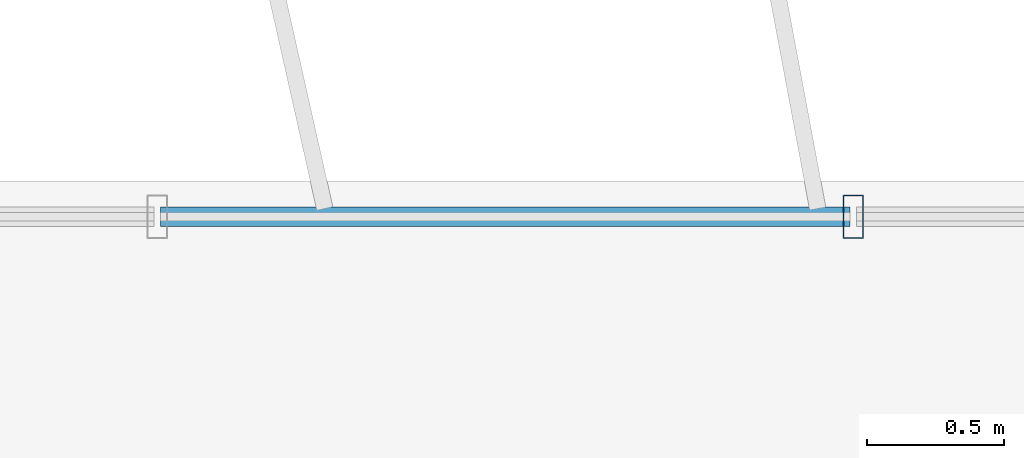
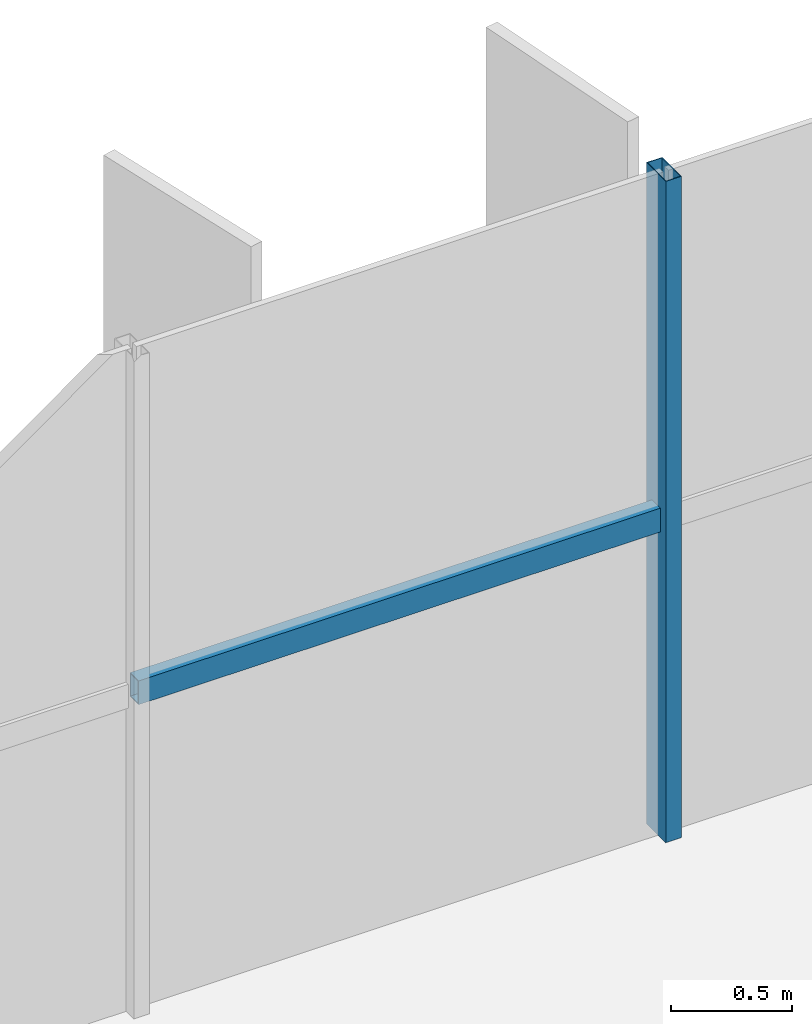
# One storey, part 8 of 23: 2 members, 1 element without a shape of its own.
"""IFC4 building model written with IfcOpenShell, lengths in metres."""

from ifc_helpers import new_model, si_unit, direction, frame, origin, origin_2d, place, context, subcontext, project, spatial, hollow_rectangle, extrude, source, transform, mapped, material, material_profile, profile_set, type_object, element, aggregate, save


model = new_model("IFC4")

# Units and contexts
model_context = context("Model", 3, precision=1e-05, world=origin(), true_north=direction((0.0, 1.0)))
body_context = subcontext(model_context, "Body", "Model", "MODEL_VIEW")
ifc_project = project(units=[si_unit("LENGTHUNIT", "METRE"), si_unit("AREAUNIT", "SQUARE_METRE"), si_unit("VOLUMEUNIT", "CUBIC_METRE"), si_unit("PLANEANGLEUNIT", "RADIAN"), si_unit("MASSUNIT", "GRAM", prefix="KILO")], contexts=[model_context])

# Site, building, storey
site_placement = place(None, origin())
site = spatial("IfcSite", under=ifc_project, at=site_placement, CompositionType="ELEMENT")
building_placement = place(site_placement, origin())
building = spatial("IfcBuilding", under=site, at=building_placement, Name="Trelvane Seafront Commons", CompositionType="ELEMENT")
storey_placement = place(building_placement, frame((0.0, 0.0, 63.10009765625)))
storey = spatial("IfcBuildingStorey", under=building, at=storey_placement, Name="L16", CompositionType="ELEMENT", Elevation=63.10009765625)

# Curtain wall, members
ifc_material = material(Name="Anodised pale-silver aluminium", Category="aluminium")
curtain_wall_type = type_object("IfcCurtainWallType", Name="ARCH-CW2-LOWTOWER", PredefinedType="NOTDEFINED", material=ifc_material)
curtain_wall_placement = place(storey_placement, origin())
curtain_wall = element("IfcCurtainWall", 1, at=curtain_wall_placement, inside=storey, type_object=curtain_wall_type, Name="CW-L16-0040", PredefinedType="NOTDEFINED")
ifc_material_profile_1 = material_profile(ifc_material, hollow_rectangle(XDim=0.070068359375, YDim=0.1201171875, WallThickness=0.00390625, at=origin_2d()), Name="TRAN-70x120x4")
ifc_profile_set_1 = profile_set([ifc_material_profile_1], Name="Anodised pale-silver aluminium")
member_type_1 = type_object("IfcMemberType", Name="ARCH-CW-TRAN-120", PredefinedType="USERDEFINED", material=ifc_profile_set_1)
shared_shape_1 = source(origin(), body_context, "Body", "SweptSolid", [
    extrude(hollow_rectangle(XDim=0.070068359375, YDim=0.1201171875, WallThickness=0.00390625, at=origin_2d()), origin(), (0.0, 0.0, 1.0), 2.517333984375),
])
member_1_placement = place(storey_placement, frame((33.400146484375, 48.3701171875, 1.602783203125), z_axis=(1.0, 0.0, 0.0), x_axis=(0.0, 1.0, 0.0)))
member_1 = element("IfcMember", 2, at=member_1_placement, type_object=member_type_1, Name="CW-L16-0040-T07", ObjectType="TRANSOM", PredefinedType="USERDEFINED", context=body_context, shape_type="MappedRepresentation", body=[
    mapped(shared_shape_1, transform((0.0, 0.0, 0.0), x_axis=(1.0, 0.0, 0.0), y_axis=(0.0, 1.0, 0.0), z_axis=(0.0, 0.0, 1.0), scale=1.0)),
])
ifc_material_profile_2 = material_profile(ifc_material, hollow_rectangle(XDim=0.074951171875, YDim=0.159912109375, WallThickness=0.00390625, at=origin_2d()), Name="MULL-75x160x4")
ifc_profile_set_2 = profile_set([ifc_material_profile_2], Name="Anodised pale-silver aluminium")
member_type_2 = type_object("IfcMemberType", Name="ARCH-CW-MULL-160", PredefinedType="MULLION", material=ifc_profile_set_2)
shared_shape_2 = source(origin(), body_context, "Body", "SweptSolid", [
    extrude(hollow_rectangle(XDim=0.074951171875, YDim=0.159912109375, WallThickness=0.00390625, at=origin_2d()), origin(), (0.0, 0.0, 1.0), 3.33984375),
])
member_2_placement = place(storey_placement, frame((35.929443359375, 48.3701171875, 0.0), z_axis=(0.0, 0.0, 1.0), x_axis=(1.0, 0.0, 0.0)))
member_2 = element("IfcMember", 3, at=member_2_placement, type_object=member_type_2, Name="CW-L16-0040-M08", PredefinedType="MULLION", context=body_context, shape_type="MappedRepresentation", body=[
    mapped(shared_shape_2, transform((0.0, 0.0, 0.0), x_axis=(1.0, 0.0, 0.0), y_axis=(0.0, 1.0, 0.0), z_axis=(0.0, 0.0, 1.0), scale=1.0)),
])
aggregate(curtain_wall, [member_2, member_1])

save(model, "model.ifc")
